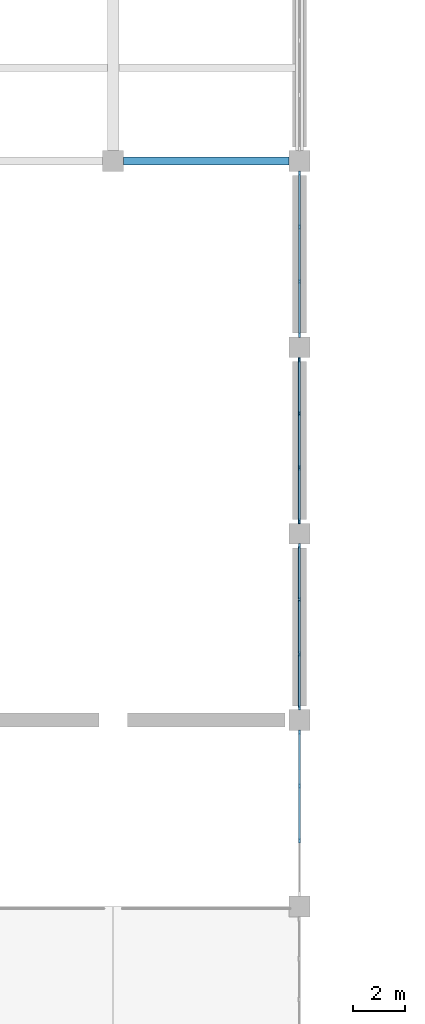
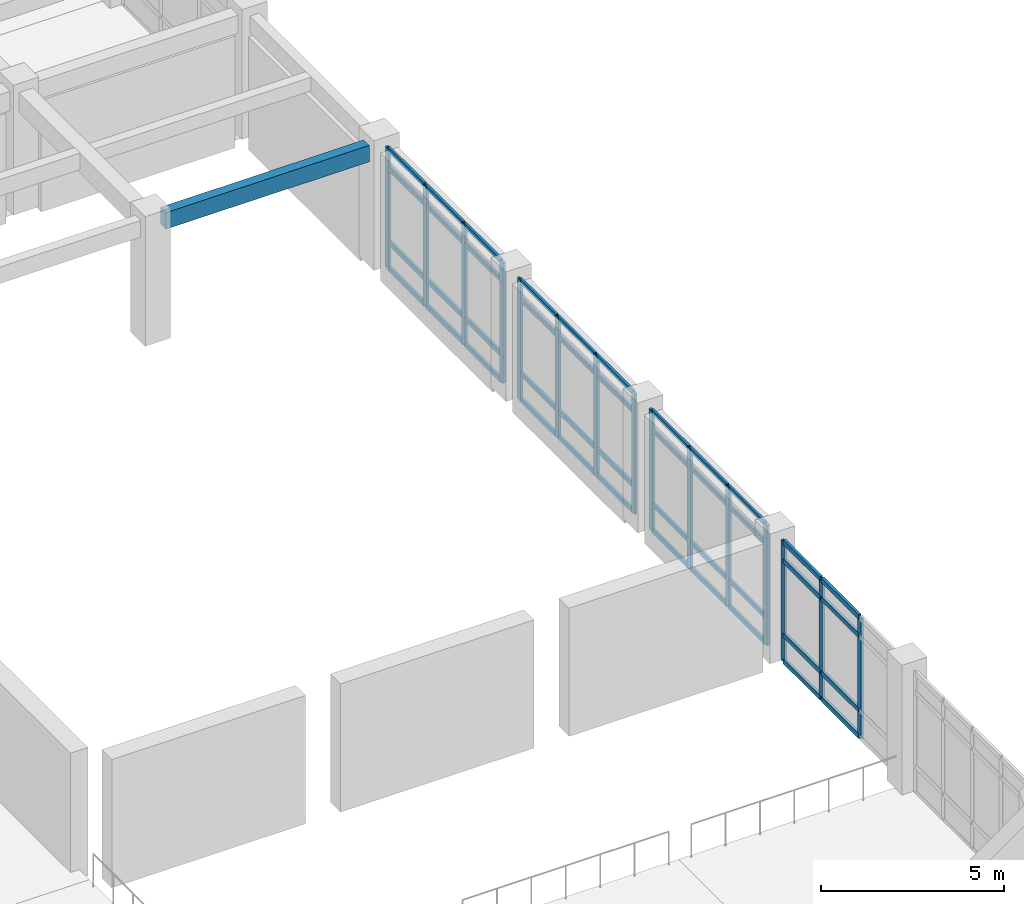
# One storey, part 5 of 70: 59 members, 1 beam, 4 elements without a shape of their own.
"""IFC4 building model written with IfcOpenShell, lengths in metres."""

from ifc_helpers import new_model, si_unit, direction, frame, origin, origin_2d, place, context, subcontext, project, spatial, rectangle, extrude, material, layer, layer_set, material_profile, profile_set, type_object, element, aggregate, save


model = new_model("IFC4")

# Units and contexts
model_context = context("Model", 3, precision=1e-05, world=origin(), true_north=direction((0.0, 1.0)))
body_context = subcontext(model_context, "Body", "Model", "MODEL_VIEW")
ifc_project = project(units=[si_unit("LENGTHUNIT", "METRE"), si_unit("AREAUNIT", "SQUARE_METRE"), si_unit("VOLUMEUNIT", "CUBIC_METRE"), si_unit("PLANEANGLEUNIT", "RADIAN"), si_unit("MASSUNIT", "GRAM", prefix="KILO")], contexts=[model_context])

# Site, building, storey
site_placement = place(None, origin())
site = spatial("IfcSite", under=ifc_project, at=site_placement, CompositionType="ELEMENT")
building_placement = place(site_placement, origin())
building = spatial("IfcBuilding", under=site, at=building_placement, Name="Kavelor Marine Aquarium", CompositionType="ELEMENT")
storey_placement = place(building_placement, frame((0.0, 0.0, 9.179931640625)))
storey = spatial("IfcBuildingStorey", under=building, at=storey_placement, Name="L02", CompositionType="ELEMENT", Elevation=9.179931640625)

# Beam
ifc_material_1 = material(Name="Concrete C40/50", Category="concrete")
ifc_material_profile_1 = material_profile(ifc_material_1, rectangle(XDim=0.300048828125, YDim=0.550048828125, at=origin_2d()), Name="RC-SP 300x550")
ifc_profile_set_1 = profile_set([ifc_material_profile_1], Name="Concrete C40/50")
beam_type = type_object("IfcBeamType", Name="BM-SP2", PredefinedType="SPANDREL", material=ifc_profile_set_1)
beam_placement = place(storey_placement, frame((32.39990234375, 60.39990234375, 3.7451171875), z_axis=(1.0, 0.0, 0.0), x_axis=(0.0, 1.0, 0.0)))
element("IfcBeam", 1, at=beam_placement, inside=storey, type_object=beam_type, Name="bm:x:L02:L03:04_08", PredefinedType="SPANDREL", context=body_context, shape_type="SweptSolid", body=[
    extrude(rectangle(XDim=0.300048828125, YDim=0.550048828125, at=origin_2d()), origin(), (0.0, 0.0, 1.0), 6.400146484375),
])

# Curtain wall, members
ifc_material_2 = material(Name="Thermally Broken Aluminium and Low-E Glass", Category="aluminium")
ifc_layer_1 = layer(ifc_material_2, 0.2919921875)
ifc_layer_set_1 = layer_set([ifc_layer_1], Name="CW-SYS19")
curtain_wall_type_1 = type_object("IfcCurtainWallType", Name="CW-SYS19", PredefinedType="USERDEFINED", material=ifc_layer_set_1)
curtain_wall_1_placement = place(storey_placement, origin())
curtain_wall_1 = element("IfcCurtainWall", 2, at=curtain_wall_1_placement, inside=storey, type_object=curtain_wall_type_1, Name="cw:y:L02:05_06", ObjectType="Curtain Wall", PredefinedType="USERDEFINED")
ifc_material_3 = material(Name="Anodised Aluminium Alloy 6063-T6", Category="aluminium")
ifc_material_profile_2 = material_profile(ifc_material_3, rectangle(XDim=0.074951171875, YDim=0.179931640625, at=origin_2d()), Name="CW-MUL 75x180")
ifc_profile_set_2 = profile_set([ifc_material_profile_2], Name="Anodised Aluminium Alloy 6063-T6")
member_type_1 = type_object("IfcMemberType", Name="CWM-1", PredefinedType="MULLION", material=ifc_profile_set_2)
member_1_placement = place(storey_placement, frame((39.199951171875, 46.482421875, 0.0), z_axis=(0.0, 0.0, 1.0), x_axis=(-1.0, 0.0, 0.0)))
member_1 = element("IfcMember", 3, at=member_1_placement, type_object=member_type_1, Name="CW19 mullion 1", PredefinedType="MULLION", context=body_context, shape_type="SweptSolid", body=[
    extrude(rectangle(XDim=0.074951171875, YDim=0.179931640625, at=origin_2d()), origin(), (0.0, 0.0, 1.0), 4.02001953125),
])
member_2_placement = place(storey_placement, frame((39.199951171875, 48.54833984375, 0.0), z_axis=(0.0, 0.0, 1.0), x_axis=(-1.0, 0.0, 0.0)))
member_2 = element("IfcMember", 4, at=member_2_placement, type_object=member_type_1, Name="CW19 mullion 2", PredefinedType="MULLION", context=body_context, shape_type="SweptSolid", body=[
    extrude(rectangle(XDim=0.074951171875, YDim=0.179931640625, at=origin_2d()), origin(), (0.0, 0.0, 1.0), 4.02001953125),
])
member_3_placement = place(storey_placement, frame((39.199951171875, 50.651611328125, 0.0), z_axis=(0.0, 0.0, 1.0), x_axis=(-1.0, 0.0, 0.0)))
member_3 = element("IfcMember", 5, at=member_3_placement, type_object=member_type_1, Name="CW19 mullion 3", PredefinedType="MULLION", context=body_context, shape_type="SweptSolid", body=[
    extrude(rectangle(XDim=0.074951171875, YDim=0.179931640625, at=origin_2d()), origin(), (0.0, 0.0, 1.0), 4.02001953125),
])
member_4_placement = place(storey_placement, frame((39.199951171875, 52.717529296875, 0.0), z_axis=(0.0, 0.0, 1.0), x_axis=(-1.0, 0.0, 0.0)))
member_4 = element("IfcMember", 6, at=member_4_placement, type_object=member_type_1, Name="CW19 mullion 4", PredefinedType="MULLION", context=body_context, shape_type="SweptSolid", body=[
    extrude(rectangle(XDim=0.074951171875, YDim=0.179931640625, at=origin_2d()), origin(), (0.0, 0.0, 1.0), 4.02001953125),
])

ifc_material_4 = material(Name="Thermally Broken Aluminium and Low-E Glass", Category="aluminium")
ifc_layer_2 = layer(ifc_material_4, 0.27587890625)
ifc_layer_set_2 = layer_set([ifc_layer_2], Name="CW-SYS17")
curtain_wall_type_2 = type_object("IfcCurtainWallType", Name="CW-SYS17", PredefinedType="USERDEFINED", material=ifc_layer_set_2)
curtain_wall_2_placement = place(storey_placement, origin())
curtain_wall_2 = element("IfcCurtainWall", 7, at=curtain_wall_2_placement, inside=storey, type_object=curtain_wall_type_2, Name="cw:y:L02:05_04", ObjectType="Curtain Wall", PredefinedType="USERDEFINED")
ifc_material_5 = material(Name="Anodised Aluminium Alloy 6063-T6", Category="aluminium")
ifc_material_profile_3 = material_profile(ifc_material_5, rectangle(XDim=0.080078125, YDim=0.18505859375, at=origin_2d()), Name="CW-MUL 80x185")
ifc_profile_set_3 = profile_set([ifc_material_profile_3], Name="Anodised Aluminium Alloy 6063-T6")
member_type_2 = type_object("IfcMemberType", Name="CWM-2", PredefinedType="MULLION", material=ifc_profile_set_3)
member_5_placement = place(storey_placement, frame((39.199951171875, 34.1484375, 0.0), z_axis=(0.0, 0.0, 1.0), x_axis=(-1.0, 0.0, 0.0)))
member_5 = element("IfcMember", 8, at=member_5_placement, type_object=member_type_2, Name="CW17 mullion 2", PredefinedType="MULLION", context=body_context, shape_type="SweptSolid", body=[
    extrude(rectangle(XDim=0.080078125, YDim=0.18505859375, at=origin_2d()), origin(), (0.0, 0.0, 1.0), 4.02001953125),
])
member_6_placement = place(storey_placement, frame((39.199951171875, 36.251708984375, 0.0), z_axis=(0.0, 0.0, 1.0), x_axis=(-1.0, 0.0, 0.0)))
member_6 = element("IfcMember", 9, at=member_6_placement, type_object=member_type_2, Name="CW17 mullion 3", PredefinedType="MULLION", context=body_context, shape_type="SweptSolid", body=[
    extrude(rectangle(XDim=0.080078125, YDim=0.18505859375, at=origin_2d()), origin(), (0.0, 0.0, 1.0), 4.02001953125),
])
member_7_placement = place(storey_placement, frame((39.199951171875, 38.322509765625, 0.0), z_axis=(0.0, 0.0, 1.0), x_axis=(-1.0, 0.0, 0.0)))
member_7 = element("IfcMember", 10, at=member_7_placement, type_object=member_type_2, Name="CW17 mullion 4", PredefinedType="MULLION", context=body_context, shape_type="SweptSolid", body=[
    extrude(rectangle(XDim=0.080078125, YDim=0.18505859375, at=origin_2d()), origin(), (0.0, 0.0, 1.0), 4.02001953125),
])

ifc_material_6 = material(Name="Thermally Broken Aluminium and Low-E Glass", Category="aluminium")
ifc_layer_3 = layer(ifc_material_6, 0.300048828125)
ifc_layer_set_3 = layer_set([ifc_layer_3], Name="CW-SYS20")
curtain_wall_type_3 = type_object("IfcCurtainWallType", Name="CW-SYS20", PredefinedType="USERDEFINED", material=ifc_layer_set_3)
curtain_wall_3_placement = place(storey_placement, origin())
curtain_wall_3 = element("IfcCurtainWall", 11, at=curtain_wall_3_placement, inside=storey, type_object=curtain_wall_type_3, Name="cw:y:L02:05_07", ObjectType="Curtain Wall", PredefinedType="USERDEFINED")
member_8_placement = place(storey_placement, frame((39.199951171875, 53.677490234375, 0.0), z_axis=(0.0, 0.0, 1.0), x_axis=(-1.0, 0.0, 0.0)))
member_8 = element("IfcMember", 12, at=member_8_placement, type_object=member_type_2, Name="CW20 mullion 1", PredefinedType="MULLION", context=body_context, shape_type="SweptSolid", body=[
    extrude(rectangle(XDim=0.080078125, YDim=0.18505859375, at=origin_2d()), origin(), (0.0, 0.0, 1.0), 4.02001953125),
])
member_9_placement = place(storey_placement, frame((39.199951171875, 55.748291015625, 0.0), z_axis=(0.0, 0.0, 1.0), x_axis=(-1.0, 0.0, 0.0)))
member_9 = element("IfcMember", 13, at=member_9_placement, type_object=member_type_2, Name="CW20 mullion 2", PredefinedType="MULLION", context=body_context, shape_type="SweptSolid", body=[
    extrude(rectangle(XDim=0.080078125, YDim=0.18505859375, at=origin_2d()), origin(), (0.0, 0.0, 1.0), 4.02001953125),
])
member_10_placement = place(storey_placement, frame((39.199951171875, 57.8515625, 0.0), z_axis=(0.0, 0.0, 1.0), x_axis=(-1.0, 0.0, 0.0)))
member_10 = element("IfcMember", 14, at=member_10_placement, type_object=member_type_2, Name="CW20 mullion 3", PredefinedType="MULLION", context=body_context, shape_type="SweptSolid", body=[
    extrude(rectangle(XDim=0.080078125, YDim=0.18505859375, at=origin_2d()), origin(), (0.0, 0.0, 1.0), 4.02001953125),
])
member_11_placement = place(storey_placement, frame((39.199951171875, 59.922607421875, 0.0), z_axis=(0.0, 0.0, 1.0), x_axis=(-1.0, 0.0, 0.0)))
member_11 = element("IfcMember", 15, at=member_11_placement, type_object=member_type_2, Name="CW20 mullion 4", PredefinedType="MULLION", context=body_context, shape_type="SweptSolid", body=[
    extrude(rectangle(XDim=0.080078125, YDim=0.18505859375, at=origin_2d()), origin(), (0.0, 0.0, 1.0), 4.02001953125),
])

ifc_material_7 = material(Name="Thermally Broken Aluminium and Low-E Glass", Category="aluminium")
ifc_layer_4 = layer(ifc_material_7, 0.283935546875)
ifc_layer_set_4 = layer_set([ifc_layer_4], Name="CW-SYS18")
curtain_wall_type_4 = type_object("IfcCurtainWallType", Name="CW-SYS18", PredefinedType="USERDEFINED", material=ifc_layer_set_4)
curtain_wall_4_placement = place(storey_placement, origin())
curtain_wall_4 = element("IfcCurtainWall", 16, at=curtain_wall_4_placement, inside=storey, type_object=curtain_wall_type_4, Name="cw:y:L02:05_05", ObjectType="Curtain Wall", PredefinedType="USERDEFINED")
ifc_material_8 = material(Name="Anodised Aluminium Alloy 6063-T6", Category="aluminium")
ifc_material_profile_4 = material_profile(ifc_material_8, rectangle(XDim=0.0849609375, YDim=0.18994140625, at=origin_2d()), Name="CW-MUL 85x190")
ifc_profile_set_4 = profile_set([ifc_material_profile_4], Name="Anodised Aluminium Alloy 6063-T6")
member_type_3 = type_object("IfcMemberType", Name="CWM-3", PredefinedType="MULLION", material=ifc_profile_set_4)
member_12_placement = place(storey_placement, frame((39.199951171875, 39.27490234375, 0.0), z_axis=(0.0, 0.0, 1.0), x_axis=(-1.0, 0.0, 0.0)))
member_12 = element("IfcMember", 17, at=member_12_placement, type_object=member_type_3, Name="CW18 mullion 1", PredefinedType="MULLION", context=body_context, shape_type="SweptSolid", body=[
    extrude(rectangle(XDim=0.0849609375, YDim=0.18994140625, at=origin_2d()), origin(), (0.0, 0.0, 1.0), 4.02001953125),
])
member_13_placement = place(storey_placement, frame((39.199951171875, 41.348388671875, 0.0), z_axis=(0.0, 0.0, 1.0), x_axis=(-1.0, 0.0, 0.0)))
member_13 = element("IfcMember", 18, at=member_13_placement, type_object=member_type_3, Name="CW18 mullion 2", PredefinedType="MULLION", context=body_context, shape_type="SweptSolid", body=[
    extrude(rectangle(XDim=0.0849609375, YDim=0.18994140625, at=origin_2d()), origin(), (0.0, 0.0, 1.0), 4.02001953125),
])
member_14_placement = place(storey_placement, frame((39.199951171875, 43.45166015625, 0.0), z_axis=(0.0, 0.0, 1.0), x_axis=(-1.0, 0.0, 0.0)))
member_14 = element("IfcMember", 19, at=member_14_placement, type_object=member_type_3, Name="CW18 mullion 3", PredefinedType="MULLION", context=body_context, shape_type="SweptSolid", body=[
    extrude(rectangle(XDim=0.0849609375, YDim=0.18994140625, at=origin_2d()), origin(), (0.0, 0.0, 1.0), 4.02001953125),
])
member_15_placement = place(storey_placement, frame((39.199951171875, 45.52490234375, 0.0), z_axis=(0.0, 0.0, 1.0), x_axis=(-1.0, 0.0, 0.0)))
member_15 = element("IfcMember", 20, at=member_15_placement, type_object=member_type_3, Name="CW18 mullion 4", PredefinedType="MULLION", context=body_context, shape_type="SweptSolid", body=[
    extrude(rectangle(XDim=0.0849609375, YDim=0.18994140625, at=origin_2d()), origin(), (0.0, 0.0, 1.0), 4.02001953125),
])
ifc_material_9 = material(Name="Anodised Aluminium Alloy 6063-T6", Category="aluminium")
ifc_material_profile_5 = material_profile(ifc_material_9, rectangle(XDim=0.074951171875, YDim=0.14990234375, at=origin_2d()), Name="CW-TRN 75x150")
ifc_profile_set_5 = profile_set([ifc_material_profile_5], Name="Anodised Aluminium Alloy 6063-T6")
member_type_4 = type_object("IfcMemberType", Name="CWT-1", PredefinedType="USERDEFINED", material=ifc_profile_set_5)
member_16_placement = place(storey_placement, frame((39.199951171875, 39.304931640625, 0.03759765625), z_axis=(0.0, 1.0, 0.0), x_axis=(-1.0, 0.0, 0.0)))
member_16 = element("IfcMember", 21, at=member_16_placement, type_object=member_type_4, Name="CW18 transom 1.1", ObjectType="TRANSOM", PredefinedType="USERDEFINED", context=body_context, shape_type="SweptSolid", body=[
    extrude(rectangle(XDim=0.074951171875, YDim=0.14990234375, at=origin_2d()), origin(), (0.0, 0.0, 1.0), 2.013427734375),
])
member_17_placement = place(storey_placement, frame((39.199951171875, 39.304931640625, 0.900146484375), z_axis=(0.0, 1.0, 0.0), x_axis=(-1.0, 0.0, 0.0)))
member_17 = element("IfcMember", 22, at=member_17_placement, type_object=member_type_4, Name="CW18 transom 1.2", ObjectType="TRANSOM", PredefinedType="USERDEFINED", context=body_context, shape_type="SweptSolid", body=[
    extrude(rectangle(XDim=0.074951171875, YDim=0.14990234375, at=origin_2d()), origin(), (0.0, 0.0, 1.0), 2.013427734375),
])
member_18_placement = place(storey_placement, frame((39.199951171875, 39.304931640625, 3.3701171875), z_axis=(0.0, 1.0, 0.0), x_axis=(-1.0, 0.0, 0.0)))
member_18 = element("IfcMember", 23, at=member_18_placement, type_object=member_type_4, Name="CW18 transom 1.3", ObjectType="TRANSOM", PredefinedType="USERDEFINED", context=body_context, shape_type="SweptSolid", body=[
    extrude(rectangle(XDim=0.074951171875, YDim=0.14990234375, at=origin_2d()), origin(), (0.0, 0.0, 1.0), 2.013427734375),
])
member_19_placement = place(storey_placement, frame((39.199951171875, 39.304931640625, 3.982666015625), z_axis=(0.0, 1.0, 0.0), x_axis=(-1.0, 0.0, 0.0)))
member_19 = element("IfcMember", 24, at=member_19_placement, type_object=member_type_4, Name="CW18 transom 1.4", ObjectType="TRANSOM", PredefinedType="USERDEFINED", context=body_context, shape_type="SweptSolid", body=[
    extrude(rectangle(XDim=0.074951171875, YDim=0.14990234375, at=origin_2d()), origin(), (0.0, 0.0, 1.0), 2.013427734375),
])
member_20_placement = place(storey_placement, frame((39.199951171875, 41.37841796875, 0.03759765625), z_axis=(0.0, 1.0, 0.0), x_axis=(-1.0, 0.0, 0.0)))
member_20 = element("IfcMember", 25, at=member_20_placement, type_object=member_type_4, Name="CW18 transom 2.1", ObjectType="TRANSOM", PredefinedType="USERDEFINED", context=body_context, shape_type="SweptSolid", body=[
    extrude(rectangle(XDim=0.074951171875, YDim=0.14990234375, at=origin_2d()), origin(), (0.0, 0.0, 1.0), 2.043212890625),
])
member_21_placement = place(storey_placement, frame((39.199951171875, 41.37841796875, 0.900146484375), z_axis=(0.0, 1.0, 0.0), x_axis=(-1.0, 0.0, 0.0)))
member_21 = element("IfcMember", 26, at=member_21_placement, type_object=member_type_4, Name="CW18 transom 2.2", ObjectType="TRANSOM", PredefinedType="USERDEFINED", context=body_context, shape_type="SweptSolid", body=[
    extrude(rectangle(XDim=0.074951171875, YDim=0.14990234375, at=origin_2d()), origin(), (0.0, 0.0, 1.0), 2.043212890625),
])
member_22_placement = place(storey_placement, frame((39.199951171875, 41.37841796875, 3.3701171875), z_axis=(0.0, 1.0, 0.0), x_axis=(-1.0, 0.0, 0.0)))
member_22 = element("IfcMember", 27, at=member_22_placement, type_object=member_type_4, Name="CW18 transom 2.3", ObjectType="TRANSOM", PredefinedType="USERDEFINED", context=body_context, shape_type="SweptSolid", body=[
    extrude(rectangle(XDim=0.074951171875, YDim=0.14990234375, at=origin_2d()), origin(), (0.0, 0.0, 1.0), 2.043212890625),
])
member_23_placement = place(storey_placement, frame((39.199951171875, 41.37841796875, 3.982666015625), z_axis=(0.0, 1.0, 0.0), x_axis=(-1.0, 0.0, 0.0)))
member_23 = element("IfcMember", 28, at=member_23_placement, type_object=member_type_4, Name="CW18 transom 2.4", ObjectType="TRANSOM", PredefinedType="USERDEFINED", context=body_context, shape_type="SweptSolid", body=[
    extrude(rectangle(XDim=0.074951171875, YDim=0.14990234375, at=origin_2d()), origin(), (0.0, 0.0, 1.0), 2.043212890625),
])
member_24_placement = place(storey_placement, frame((39.199951171875, 43.481689453125, 0.03759765625), z_axis=(0.0, 1.0, 0.0), x_axis=(-1.0, 0.0, 0.0)))
member_24 = element("IfcMember", 29, at=member_24_placement, type_object=member_type_4, Name="CW18 transom 3.1", ObjectType="TRANSOM", PredefinedType="USERDEFINED", context=body_context, shape_type="SweptSolid", body=[
    extrude(rectangle(XDim=0.074951171875, YDim=0.14990234375, at=origin_2d()), origin(), (0.0, 0.0, 1.0), 2.013427734375),
])
member_25_placement = place(storey_placement, frame((39.199951171875, 43.481689453125, 0.900146484375), z_axis=(0.0, 1.0, 0.0), x_axis=(-1.0, 0.0, 0.0)))
member_25 = element("IfcMember", 30, at=member_25_placement, type_object=member_type_4, Name="CW18 transom 3.2", ObjectType="TRANSOM", PredefinedType="USERDEFINED", context=body_context, shape_type="SweptSolid", body=[
    extrude(rectangle(XDim=0.074951171875, YDim=0.14990234375, at=origin_2d()), origin(), (0.0, 0.0, 1.0), 2.013427734375),
])
member_26_placement = place(storey_placement, frame((39.199951171875, 43.481689453125, 3.3701171875), z_axis=(0.0, 1.0, 0.0), x_axis=(-1.0, 0.0, 0.0)))
member_26 = element("IfcMember", 31, at=member_26_placement, type_object=member_type_4, Name="CW18 transom 3.3", ObjectType="TRANSOM", PredefinedType="USERDEFINED", context=body_context, shape_type="SweptSolid", body=[
    extrude(rectangle(XDim=0.074951171875, YDim=0.14990234375, at=origin_2d()), origin(), (0.0, 0.0, 1.0), 2.013427734375),
])
member_27_placement = place(storey_placement, frame((39.199951171875, 43.481689453125, 3.982666015625), z_axis=(0.0, 1.0, 0.0), x_axis=(-1.0, 0.0, 0.0)))
member_27 = element("IfcMember", 32, at=member_27_placement, type_object=member_type_4, Name="CW18 transom 3.4", ObjectType="TRANSOM", PredefinedType="USERDEFINED", context=body_context, shape_type="SweptSolid", body=[
    extrude(rectangle(XDim=0.074951171875, YDim=0.14990234375, at=origin_2d()), origin(), (0.0, 0.0, 1.0), 2.013427734375),
])
aggregate(curtain_wall_4, [member_12, member_13, member_14, member_15, member_16, member_17, member_18, member_19, member_20, member_21, member_22, member_23, member_24, member_25, member_26, member_27])

# Member
member_28_placement = place(storey_placement, frame((39.199951171875, 46.52001953125, 0.03759765625), z_axis=(0.0, 1.0, 0.0), x_axis=(-1.0, 0.0, 0.0)))
member_28 = element("IfcMember", 33, at=member_28_placement, type_object=member_type_4, Name="CW19 transom 1.1", ObjectType="TRANSOM", PredefinedType="USERDEFINED", context=body_context, shape_type="SweptSolid", body=[
    extrude(rectangle(XDim=0.074951171875, YDim=0.14990234375, at=origin_2d()), origin(), (0.0, 0.0, 1.0), 1.99072265625),
])

member_29_placement = place(storey_placement, frame((39.199951171875, 46.52001953125, 0.900146484375), z_axis=(0.0, 1.0, 0.0), x_axis=(-1.0, 0.0, 0.0)))
member_29 = element("IfcMember", 34, at=member_29_placement, type_object=member_type_4, Name="CW19 transom 1.2", ObjectType="TRANSOM", PredefinedType="USERDEFINED", context=body_context, shape_type="SweptSolid", body=[
    extrude(rectangle(XDim=0.074951171875, YDim=0.14990234375, at=origin_2d()), origin(), (0.0, 0.0, 1.0), 1.99072265625),
])

member_30_placement = place(storey_placement, frame((39.199951171875, 46.52001953125, 3.3701171875), z_axis=(0.0, 1.0, 0.0), x_axis=(-1.0, 0.0, 0.0)))
member_30 = element("IfcMember", 35, at=member_30_placement, type_object=member_type_4, Name="CW19 transom 1.3", ObjectType="TRANSOM", PredefinedType="USERDEFINED", context=body_context, shape_type="SweptSolid", body=[
    extrude(rectangle(XDim=0.074951171875, YDim=0.14990234375, at=origin_2d()), origin(), (0.0, 0.0, 1.0), 1.99072265625),
])

member_31_placement = place(storey_placement, frame((39.199951171875, 46.52001953125, 3.982666015625), z_axis=(0.0, 1.0, 0.0), x_axis=(-1.0, 0.0, 0.0)))
member_31 = element("IfcMember", 36, at=member_31_placement, type_object=member_type_4, Name="CW19 transom 1.4", ObjectType="TRANSOM", PredefinedType="USERDEFINED", context=body_context, shape_type="SweptSolid", body=[
    extrude(rectangle(XDim=0.074951171875, YDim=0.14990234375, at=origin_2d()), origin(), (0.0, 0.0, 1.0), 1.99072265625),
])

member_32_placement = place(storey_placement, frame((39.199951171875, 48.5859375, 0.03759765625), z_axis=(0.0, 1.0, 0.0), x_axis=(-1.0, 0.0, 0.0)))
member_32 = element("IfcMember", 37, at=member_32_placement, type_object=member_type_4, Name="CW19 transom 2.1", ObjectType="TRANSOM", PredefinedType="USERDEFINED", context=body_context, shape_type="SweptSolid", body=[
    extrude(rectangle(XDim=0.074951171875, YDim=0.14990234375, at=origin_2d()), origin(), (0.0, 0.0, 1.0), 2.0283203125),
])

member_33_placement = place(storey_placement, frame((39.199951171875, 48.5859375, 0.900146484375), z_axis=(0.0, 1.0, 0.0), x_axis=(-1.0, 0.0, 0.0)))
member_33 = element("IfcMember", 38, at=member_33_placement, type_object=member_type_4, Name="CW19 transom 2.2", ObjectType="TRANSOM", PredefinedType="USERDEFINED", context=body_context, shape_type="SweptSolid", body=[
    extrude(rectangle(XDim=0.074951171875, YDim=0.14990234375, at=origin_2d()), origin(), (0.0, 0.0, 1.0), 2.0283203125),
])

member_34_placement = place(storey_placement, frame((39.199951171875, 48.5859375, 3.3701171875), z_axis=(0.0, 1.0, 0.0), x_axis=(-1.0, 0.0, 0.0)))
member_34 = element("IfcMember", 39, at=member_34_placement, type_object=member_type_4, Name="CW19 transom 2.3", ObjectType="TRANSOM", PredefinedType="USERDEFINED", context=body_context, shape_type="SweptSolid", body=[
    extrude(rectangle(XDim=0.074951171875, YDim=0.14990234375, at=origin_2d()), origin(), (0.0, 0.0, 1.0), 2.0283203125),
])

member_35_placement = place(storey_placement, frame((39.199951171875, 48.5859375, 3.982666015625), z_axis=(0.0, 1.0, 0.0), x_axis=(-1.0, 0.0, 0.0)))
member_35 = element("IfcMember", 40, at=member_35_placement, type_object=member_type_4, Name="CW19 transom 2.4", ObjectType="TRANSOM", PredefinedType="USERDEFINED", context=body_context, shape_type="SweptSolid", body=[
    extrude(rectangle(XDim=0.074951171875, YDim=0.14990234375, at=origin_2d()), origin(), (0.0, 0.0, 1.0), 2.0283203125),
])

member_36_placement = place(storey_placement, frame((39.199951171875, 50.689208984375, 0.03759765625), z_axis=(0.0, 1.0, 0.0), x_axis=(-1.0, 0.0, 0.0)))
member_36 = element("IfcMember", 41, at=member_36_placement, type_object=member_type_4, Name="CW19 transom 3.1", ObjectType="TRANSOM", PredefinedType="USERDEFINED", context=body_context, shape_type="SweptSolid", body=[
    extrude(rectangle(XDim=0.074951171875, YDim=0.14990234375, at=origin_2d()), origin(), (0.0, 0.0, 1.0), 1.99072265625),
])

member_37_placement = place(storey_placement, frame((39.199951171875, 50.689208984375, 0.900146484375), z_axis=(0.0, 1.0, 0.0), x_axis=(-1.0, 0.0, 0.0)))
member_37 = element("IfcMember", 42, at=member_37_placement, type_object=member_type_4, Name="CW19 transom 3.2", ObjectType="TRANSOM", PredefinedType="USERDEFINED", context=body_context, shape_type="SweptSolid", body=[
    extrude(rectangle(XDim=0.074951171875, YDim=0.14990234375, at=origin_2d()), origin(), (0.0, 0.0, 1.0), 1.99072265625),
])

member_38_placement = place(storey_placement, frame((39.199951171875, 50.689208984375, 3.3701171875), z_axis=(0.0, 1.0, 0.0), x_axis=(-1.0, 0.0, 0.0)))
member_38 = element("IfcMember", 43, at=member_38_placement, type_object=member_type_4, Name="CW19 transom 3.3", ObjectType="TRANSOM", PredefinedType="USERDEFINED", context=body_context, shape_type="SweptSolid", body=[
    extrude(rectangle(XDim=0.074951171875, YDim=0.14990234375, at=origin_2d()), origin(), (0.0, 0.0, 1.0), 1.99072265625),
])

member_39_placement = place(storey_placement, frame((39.199951171875, 50.689208984375, 3.982666015625), z_axis=(0.0, 1.0, 0.0), x_axis=(-1.0, 0.0, 0.0)))
member_39 = element("IfcMember", 44, at=member_39_placement, type_object=member_type_4, Name="CW19 transom 3.4", ObjectType="TRANSOM", PredefinedType="USERDEFINED", context=body_context, shape_type="SweptSolid", body=[
    extrude(rectangle(XDim=0.074951171875, YDim=0.14990234375, at=origin_2d()), origin(), (0.0, 0.0, 1.0), 1.99072265625),
])

aggregate(curtain_wall_1, [member_1, member_2, member_3, member_4, member_28, member_29, member_30, member_31, member_32, member_33, member_34, member_35, member_36, member_37, member_38, member_39])

ifc_material_10 = material(Name="Anodised Aluminium Alloy 6063-T6", Category="aluminium")
ifc_material_profile_6 = material_profile(ifc_material_10, rectangle(XDim=0.080078125, YDim=0.155029296875, at=origin_2d()), Name="CW-TRN 80x155")
ifc_profile_set_6 = profile_set([ifc_material_profile_6], Name="Anodised Aluminium Alloy 6063-T6")
member_type_5 = type_object("IfcMemberType", Name="CWT-2", PredefinedType="USERDEFINED", material=ifc_profile_set_6)
member_40_placement = place(storey_placement, frame((39.199951171875, 53.7099609375, 0.032470703125), z_axis=(0.0, 1.0, 0.0), x_axis=(-1.0, 0.0, 0.0)))
member_40 = element("IfcMember", 45, at=member_40_placement, type_object=member_type_5, Name="CW20 transom 1.1", ObjectType="TRANSOM", PredefinedType="USERDEFINED", context=body_context, shape_type="SweptSolid", body=[
    extrude(rectangle(XDim=0.080078125, YDim=0.155029296875, at=origin_2d()), origin(), (0.0, 0.0, 1.0), 2.005859375),
])

member_41_placement = place(storey_placement, frame((39.199951171875, 53.7099609375, 0.900146484375), z_axis=(0.0, 1.0, 0.0), x_axis=(-1.0, 0.0, 0.0)))
member_41 = element("IfcMember", 46, at=member_41_placement, type_object=member_type_5, Name="CW20 transom 1.2", ObjectType="TRANSOM", PredefinedType="USERDEFINED", context=body_context, shape_type="SweptSolid", body=[
    extrude(rectangle(XDim=0.080078125, YDim=0.155029296875, at=origin_2d()), origin(), (0.0, 0.0, 1.0), 2.005859375),
])

member_42_placement = place(storey_placement, frame((39.199951171875, 53.7099609375, 3.3701171875), z_axis=(0.0, 1.0, 0.0), x_axis=(-1.0, 0.0, 0.0)))
member_42 = element("IfcMember", 47, at=member_42_placement, type_object=member_type_5, Name="CW20 transom 1.3", ObjectType="TRANSOM", PredefinedType="USERDEFINED", context=body_context, shape_type="SweptSolid", body=[
    extrude(rectangle(XDim=0.080078125, YDim=0.155029296875, at=origin_2d()), origin(), (0.0, 0.0, 1.0), 2.005859375),
])

member_43_placement = place(storey_placement, frame((39.199951171875, 53.7099609375, 3.987548828125), z_axis=(0.0, 1.0, 0.0), x_axis=(-1.0, 0.0, 0.0)))
member_43 = element("IfcMember", 48, at=member_43_placement, type_object=member_type_5, Name="CW20 transom 1.4", ObjectType="TRANSOM", PredefinedType="USERDEFINED", context=body_context, shape_type="SweptSolid", body=[
    extrude(rectangle(XDim=0.080078125, YDim=0.155029296875, at=origin_2d()), origin(), (0.0, 0.0, 1.0), 2.005859375),
])

member_44_placement = place(storey_placement, frame((39.199951171875, 55.78076171875, 0.032470703125), z_axis=(0.0, 1.0, 0.0), x_axis=(-1.0, 0.0, 0.0)))
member_44 = element("IfcMember", 49, at=member_44_placement, type_object=member_type_5, Name="CW20 transom 2.1", ObjectType="TRANSOM", PredefinedType="USERDEFINED", context=body_context, shape_type="SweptSolid", body=[
    extrude(rectangle(XDim=0.080078125, YDim=0.155029296875, at=origin_2d()), origin(), (0.0, 0.0, 1.0), 2.038330078125),
])

member_45_placement = place(storey_placement, frame((39.199951171875, 55.78076171875, 0.900146484375), z_axis=(0.0, 1.0, 0.0), x_axis=(-1.0, 0.0, 0.0)))
member_45 = element("IfcMember", 50, at=member_45_placement, type_object=member_type_5, Name="CW20 transom 2.2", ObjectType="TRANSOM", PredefinedType="USERDEFINED", context=body_context, shape_type="SweptSolid", body=[
    extrude(rectangle(XDim=0.080078125, YDim=0.155029296875, at=origin_2d()), origin(), (0.0, 0.0, 1.0), 2.038330078125),
])

member_46_placement = place(storey_placement, frame((39.199951171875, 55.78076171875, 3.3701171875), z_axis=(0.0, 1.0, 0.0), x_axis=(-1.0, 0.0, 0.0)))
member_46 = element("IfcMember", 51, at=member_46_placement, type_object=member_type_5, Name="CW20 transom 2.3", ObjectType="TRANSOM", PredefinedType="USERDEFINED", context=body_context, shape_type="SweptSolid", body=[
    extrude(rectangle(XDim=0.080078125, YDim=0.155029296875, at=origin_2d()), origin(), (0.0, 0.0, 1.0), 2.038330078125),
])

member_47_placement = place(storey_placement, frame((39.199951171875, 55.78076171875, 3.987548828125), z_axis=(0.0, 1.0, 0.0), x_axis=(-1.0, 0.0, 0.0)))
member_47 = element("IfcMember", 52, at=member_47_placement, type_object=member_type_5, Name="CW20 transom 2.4", ObjectType="TRANSOM", PredefinedType="USERDEFINED", context=body_context, shape_type="SweptSolid", body=[
    extrude(rectangle(XDim=0.080078125, YDim=0.155029296875, at=origin_2d()), origin(), (0.0, 0.0, 1.0), 2.038330078125),
])

member_48_placement = place(storey_placement, frame((39.199951171875, 57.88427734375, 0.032470703125), z_axis=(0.0, 1.0, 0.0), x_axis=(-1.0, 0.0, 0.0)))
member_48 = element("IfcMember", 53, at=member_48_placement, type_object=member_type_5, Name="CW20 transom 3.1", ObjectType="TRANSOM", PredefinedType="USERDEFINED", context=body_context, shape_type="SweptSolid", body=[
    extrude(rectangle(XDim=0.080078125, YDim=0.155029296875, at=origin_2d()), origin(), (0.0, 0.0, 1.0), 2.005615234375),
])

member_49_placement = place(storey_placement, frame((39.199951171875, 57.88427734375, 0.900146484375), z_axis=(0.0, 1.0, 0.0), x_axis=(-1.0, 0.0, 0.0)))
member_49 = element("IfcMember", 54, at=member_49_placement, type_object=member_type_5, Name="CW20 transom 3.2", ObjectType="TRANSOM", PredefinedType="USERDEFINED", context=body_context, shape_type="SweptSolid", body=[
    extrude(rectangle(XDim=0.080078125, YDim=0.155029296875, at=origin_2d()), origin(), (0.0, 0.0, 1.0), 2.005615234375),
])

member_50_placement = place(storey_placement, frame((39.199951171875, 57.88427734375, 3.3701171875), z_axis=(0.0, 1.0, 0.0), x_axis=(-1.0, 0.0, 0.0)))
member_50 = element("IfcMember", 55, at=member_50_placement, type_object=member_type_5, Name="CW20 transom 3.3", ObjectType="TRANSOM", PredefinedType="USERDEFINED", context=body_context, shape_type="SweptSolid", body=[
    extrude(rectangle(XDim=0.080078125, YDim=0.155029296875, at=origin_2d()), origin(), (0.0, 0.0, 1.0), 2.005615234375),
])

member_51_placement = place(storey_placement, frame((39.199951171875, 57.88427734375, 3.987548828125), z_axis=(0.0, 1.0, 0.0), x_axis=(-1.0, 0.0, 0.0)))
member_51 = element("IfcMember", 56, at=member_51_placement, type_object=member_type_5, Name="CW20 transom 3.4", ObjectType="TRANSOM", PredefinedType="USERDEFINED", context=body_context, shape_type="SweptSolid", body=[
    extrude(rectangle(XDim=0.080078125, YDim=0.155029296875, at=origin_2d()), origin(), (0.0, 0.0, 1.0), 2.005615234375),
])

aggregate(curtain_wall_3, [member_8, member_9, member_10, member_11, member_40, member_41, member_42, member_43, member_44, member_45, member_46, member_47, member_48, member_49, member_50, member_51])

ifc_material_11 = material(Name="Anodised Aluminium Alloy 6063-T6", Category="aluminium")
ifc_material_profile_7 = material_profile(ifc_material_11, rectangle(XDim=0.0849609375, YDim=0.159912109375, at=origin_2d()), Name="CW-TRN 85x160")
ifc_profile_set_7 = profile_set([ifc_material_profile_7], Name="Anodised Aluminium Alloy 6063-T6")
member_type_6 = type_object("IfcMemberType", Name="CWT-3", PredefinedType="USERDEFINED", material=ifc_profile_set_7)
member_52_placement = place(storey_placement, frame((39.199951171875, 34.180908203125, 0.030029296875), z_axis=(0.0, 1.0, 0.0), x_axis=(-1.0, 0.0, 0.0)))
member_52 = element("IfcMember", 57, at=member_52_placement, type_object=member_type_6, Name="CW17 transom 2.1", ObjectType="TRANSOM", PredefinedType="USERDEFINED", context=body_context, shape_type="SweptSolid", body=[
    extrude(rectangle(XDim=0.0849609375, YDim=0.159912109375, at=origin_2d()), origin(), (0.0, 0.0, 1.0), 2.038330078125),
])

member_53_placement = place(storey_placement, frame((39.199951171875, 34.180908203125, 0.900146484375), z_axis=(0.0, 1.0, 0.0), x_axis=(-1.0, 0.0, 0.0)))
member_53 = element("IfcMember", 58, at=member_53_placement, type_object=member_type_6, Name="CW17 transom 2.2", ObjectType="TRANSOM", PredefinedType="USERDEFINED", context=body_context, shape_type="SweptSolid", body=[
    extrude(rectangle(XDim=0.0849609375, YDim=0.159912109375, at=origin_2d()), origin(), (0.0, 0.0, 1.0), 2.038330078125),
])

member_54_placement = place(storey_placement, frame((39.199951171875, 34.180908203125, 3.3701171875), z_axis=(0.0, 1.0, 0.0), x_axis=(-1.0, 0.0, 0.0)))
member_54 = element("IfcMember", 59, at=member_54_placement, type_object=member_type_6, Name="CW17 transom 2.3", ObjectType="TRANSOM", PredefinedType="USERDEFINED", context=body_context, shape_type="SweptSolid", body=[
    extrude(rectangle(XDim=0.0849609375, YDim=0.159912109375, at=origin_2d()), origin(), (0.0, 0.0, 1.0), 2.038330078125),
])

member_55_placement = place(storey_placement, frame((39.199951171875, 34.180908203125, 3.989990234375), z_axis=(0.0, 1.0, 0.0), x_axis=(-1.0, 0.0, 0.0)))
member_55 = element("IfcMember", 60, at=member_55_placement, type_object=member_type_6, Name="CW17 transom 2.4", ObjectType="TRANSOM", PredefinedType="USERDEFINED", context=body_context, shape_type="SweptSolid", body=[
    extrude(rectangle(XDim=0.0849609375, YDim=0.159912109375, at=origin_2d()), origin(), (0.0, 0.0, 1.0), 2.038330078125),
])

member_56_placement = place(storey_placement, frame((39.199951171875, 36.2841796875, 0.030029296875), z_axis=(0.0, 1.0, 0.0), x_axis=(-1.0, 0.0, 0.0)))
member_56 = element("IfcMember", 61, at=member_56_placement, type_object=member_type_6, Name="CW17 transom 3.1", ObjectType="TRANSOM", PredefinedType="USERDEFINED", context=body_context, shape_type="SweptSolid", body=[
    extrude(rectangle(XDim=0.0849609375, YDim=0.159912109375, at=origin_2d()), origin(), (0.0, 0.0, 1.0), 2.005859375),
])

member_57_placement = place(storey_placement, frame((39.199951171875, 36.2841796875, 0.900146484375), z_axis=(0.0, 1.0, 0.0), x_axis=(-1.0, 0.0, 0.0)))
member_57 = element("IfcMember", 62, at=member_57_placement, type_object=member_type_6, Name="CW17 transom 3.2", ObjectType="TRANSOM", PredefinedType="USERDEFINED", context=body_context, shape_type="SweptSolid", body=[
    extrude(rectangle(XDim=0.0849609375, YDim=0.159912109375, at=origin_2d()), origin(), (0.0, 0.0, 1.0), 2.005859375),
])

member_58_placement = place(storey_placement, frame((39.199951171875, 36.2841796875, 3.3701171875), z_axis=(0.0, 1.0, 0.0), x_axis=(-1.0, 0.0, 0.0)))
member_58 = element("IfcMember", 63, at=member_58_placement, type_object=member_type_6, Name="CW17 transom 3.3", ObjectType="TRANSOM", PredefinedType="USERDEFINED", context=body_context, shape_type="SweptSolid", body=[
    extrude(rectangle(XDim=0.0849609375, YDim=0.159912109375, at=origin_2d()), origin(), (0.0, 0.0, 1.0), 2.005859375),
])

member_59_placement = place(storey_placement, frame((39.199951171875, 36.2841796875, 3.989990234375), z_axis=(0.0, 1.0, 0.0), x_axis=(-1.0, 0.0, 0.0)))
member_59 = element("IfcMember", 64, at=member_59_placement, type_object=member_type_6, Name="CW17 transom 3.4", ObjectType="TRANSOM", PredefinedType="USERDEFINED", context=body_context, shape_type="SweptSolid", body=[
    extrude(rectangle(XDim=0.0849609375, YDim=0.159912109375, at=origin_2d()), origin(), (0.0, 0.0, 1.0), 2.005859375),
])

aggregate(curtain_wall_2, [member_5, member_6, member_7, member_52, member_53, member_54, member_55, member_56, member_57, member_58, member_59])

save(model, "model.ifc")
